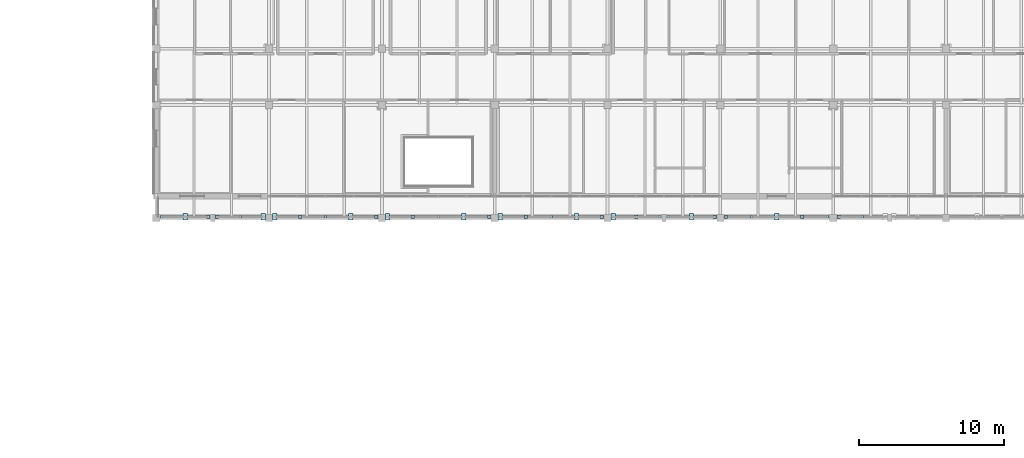
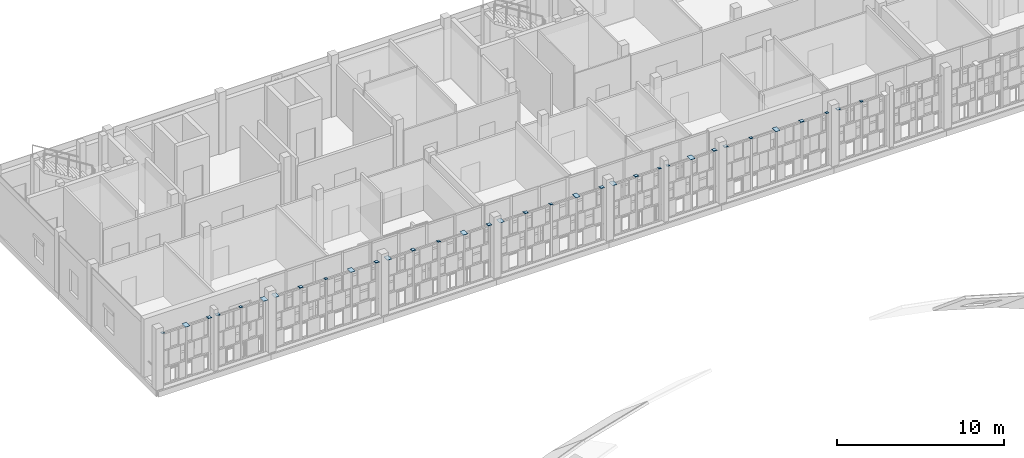
# One storey, part 62 of 89: 34 plates.
"""IFC4 building model written with IfcOpenShell, lengths in metres."""

from ifc_helpers import new_model, si_unit, direction, frame, origin, origin_2d, place, context, subcontext, project, spatial, rectangle, extrude, material, layer, layer_set, type_object, element, save


model = new_model("IFC4")

# Units and contexts
model_context = context("Model", 3, precision=1e-05, world=origin(), true_north=direction((0.0, 1.0)))
body_context = subcontext(model_context, "Body", "Model", "MODEL_VIEW")
ifc_project = project(units=[si_unit("LENGTHUNIT", "METRE"), si_unit("AREAUNIT", "SQUARE_METRE"), si_unit("VOLUMEUNIT", "CUBIC_METRE"), si_unit("PLANEANGLEUNIT", "RADIAN"), si_unit("MASSUNIT", "GRAM", prefix="KILO")], contexts=[model_context])

# Site, building, storey
site_placement = place(None, origin())
site = spatial("IfcSite", under=ifc_project, at=site_placement, CompositionType="ELEMENT")
building_placement = place(site_placement, origin())
building = spatial("IfcBuilding", under=site, at=building_placement, Name="Celorna Specialist Clinic", CompositionType="ELEMENT")
storey_placement = place(building_placement, frame((0.0, 0.0, 14.10009765625)))
storey = spatial("IfcBuildingStorey", under=building, at=storey_placement, Name="L03", CompositionType="ELEMENT", Elevation=14.10009765625)

# Plates
ifc_material = material(Name="Steel S355", Category="steel")
ifc_layer_1 = layer(ifc_material, 0.011962890625, Name="Steel S355")
ifc_layer_set_1 = layer_set([ifc_layer_1], Name="Steel S355")
plate_type_1 = type_object("IfcPlateType", Name="EP-06", PredefinedType="SHEET", material=ifc_layer_set_1)
for number, where, z_axis, x_axis, name in (
    (1, (47.18994140625, 96.580078125, 3.83984375), (0.0, 0.0, 1.0), (1.0, 0.0, 0.0), "Screen post cap plate EP-06 #1230"),
    (2, (52.60009765625, 96.580078125, 3.83984375), (0.0, 0.0, 1.0), (1.0, 0.0, 0.0), "Screen post cap plate EP-06 #1242"),
    (3, (58.5, 96.580078125, 3.83984375), (0.0, 0.0, 1.0), (1.0, 0.0, 0.0), "Screen post cap plate EP-06 #1254"),
    (4, (66.300048828125, 96.580078125, 3.83984375), (0.0, 0.0, 1.0), (1.0, 0.0, 0.0), "Screen post cap plate EP-06 #1275"),
    (5, (74.10009765625, 96.580078125, 3.83984375), (0.0, 0.0, 1.0), (1.0, 0.0, 0.0), "Screen post cap plate EP-06 #1296"),
    (6, (81.610107421875, 96.580078125, 3.83984375), (0.0, 0.0, 1.0), (1.0, 0.0, 0.0), "Screen post cap plate EP-06 #1317"),
    (7, (82.18994140625, 96.580078125, 3.83984375), (0.0, 0.0, 1.0), (1.0, 0.0, 0.0), "Screen post cap plate EP-06 #1326"),
    (8, (87.945068359375, 96.580078125, 3.83984375), (0.0, 0.0, 1.0), (1.0, 0.0, 0.0), "Screen post cap plate EP-06 #1338"),
    (9, (93.2099609375, 96.580078125, 3.83984375), (0.0, 0.0, 1.0), (1.0, 0.0, 0.0), "Screen post cap plate EP-06 #1341"),
    (10, (95.60009765625, 96.580078125, 3.83984375), (0.0, 0.0, 1.0), (1.0, 0.0, 0.0), "Screen post cap plate EP-06 #1359"),
):
    element("IfcPlate", number, at=place(storey_placement, frame(where, z_axis=z_axis, x_axis=x_axis)), inside=storey, type_object=plate_type_1, Name=name, PredefinedType="SHEET", context=body_context, shape_type="SweptSolid", body=[
        extrude(rectangle(XDim=0.179931640625, YDim=0.179931640625, at=origin_2d()), origin(), (0.0, 0.0, 1.0), 0.011962890625),
    ])
ifc_layer_2 = layer(ifc_material, 0.01611328125, Name="Steel S355")
ifc_layer_set_2 = layer_set([ifc_layer_2], Name="Steel S355")
plate_type_2 = type_object("IfcPlateType", Name="EP-07", PredefinedType="SHEET", material=ifc_layer_set_2)
for number, where, z_axis, x_axis, name in (
    (11, (48.800048828125, 96.580078125, 3.83984375), (0.0, 0.0, 1.0), (1.0, 0.0, 0.0), "Screen post cap plate EP-07 #1231"),
    (12, (54.2099609375, 96.580078125, 3.83984375), (0.0, 0.0, 1.0), (1.0, 0.0, 0.0), "Screen post cap plate EP-07 #1243"),
    (13, (54.989990234375, 96.580078125, 3.83984375), (0.0, 0.0, 1.0), (1.0, 0.0, 0.0), "Screen post cap plate EP-07 #1252"),
    (14, (60.2548828125, 96.580078125, 3.83984375), (0.0, 0.0, 1.0), (1.0, 0.0, 0.0), "Screen post cap plate EP-07 #1255"),
    (15, (62.7900390625, 96.580078125, 3.83984375), (0.0, 0.0, 1.0), (1.0, 0.0, 0.0), "Screen post cap plate EP-07 #1273"),
    (16, (68.054931640625, 96.580078125, 3.83984375), (0.0, 0.0, 1.0), (1.0, 0.0, 0.0), "Screen post cap plate EP-07 #1276"),
    (17, (70.590087890625, 96.580078125, 3.83984375), (0.0, 0.0, 1.0), (1.0, 0.0, 0.0), "Screen post cap plate EP-07 #1294"),
    (18, (75.85498046875, 96.580078125, 3.83984375), (0.0, 0.0, 1.0), (1.0, 0.0, 0.0), "Screen post cap plate EP-07 #1297"),
    (19, (78.389892578125, 96.580078125, 3.83984375), (0.0, 0.0, 1.0), (1.0, 0.0, 0.0), "Screen post cap plate EP-07 #1315"),
    (20, (83.800048828125, 96.580078125, 3.83984375), (0.0, 0.0, 1.0), (1.0, 0.0, 0.0), "Screen post cap plate EP-07 #1327"),
    (21, (89.699951171875, 96.580078125, 3.83984375), (0.0, 0.0, 1.0), (1.0, 0.0, 0.0), "Screen post cap plate EP-07 #1339"),
):
    element("IfcPlate", number, at=place(storey_placement, frame(where, z_axis=z_axis, x_axis=x_axis)), inside=storey, type_object=plate_type_2, Name=name, PredefinedType="SHEET", context=body_context, shape_type="SweptSolid", body=[
        extrude(rectangle(XDim=0.300048828125, YDim=0.43994140625, at=origin_2d()), origin(), (0.0, 0.0, 1.0), 0.01611328125),
    ])
ifc_layer_3 = layer(ifc_material, 0.013916015625, Name="Steel S355")
ifc_layer_set_3 = layer_set([ifc_layer_3], Name="Steel S355")
plate_type_3 = type_object("IfcPlateType", Name="EP-08", PredefinedType="SHEET", material=ifc_layer_set_3)
for number, where, z_axis, x_axis, name in (
    (22, (50.409912109375, 96.580078125, 3.83984375), (0.0, 0.0, 1.0), (1.0, 0.0, 0.0), "Screen post cap plate EP-08 #1232"),
    (23, (50.989990234375, 96.580078125, 3.83984375), (0.0, 0.0, 1.0), (1.0, 0.0, 0.0), "Screen post cap plate EP-08 #1241"),
    (24, (56.7451171875, 96.580078125, 3.83984375), (0.0, 0.0, 1.0), (1.0, 0.0, 0.0), "Screen post cap plate EP-08 #1253"),
    (25, (62.010009765625, 96.580078125, 3.83984375), (0.0, 0.0, 1.0), (1.0, 0.0, 0.0), "Screen post cap plate EP-08 #1256"),
    (26, (64.544921875, 96.580078125, 3.83984375), (0.0, 0.0, 1.0), (1.0, 0.0, 0.0), "Screen post cap plate EP-08 #1274"),
    (27, (69.81005859375, 96.580078125, 3.83984375), (0.0, 0.0, 1.0), (1.0, 0.0, 0.0), "Screen post cap plate EP-08 #1277"),
    (28, (72.344970703125, 96.580078125, 3.83984375), (0.0, 0.0, 1.0), (1.0, 0.0, 0.0), "Screen post cap plate EP-08 #1295"),
    (29, (77.610107421875, 96.580078125, 3.83984375), (0.0, 0.0, 1.0), (1.0, 0.0, 0.0), "Screen post cap plate EP-08 #1298"),
    (30, (80.0, 96.580078125, 3.83984375), (0.0, 0.0, 1.0), (1.0, 0.0, 0.0), "Screen post cap plate EP-08 #1316"),
    (31, (85.409912109375, 96.580078125, 3.83984375), (0.0, 0.0, 1.0), (1.0, 0.0, 0.0), "Screen post cap plate EP-08 #1328"),
    (32, (86.18994140625, 96.580078125, 3.83984375), (0.0, 0.0, 1.0), (1.0, 0.0, 0.0), "Screen post cap plate EP-08 #1337"),
    (33, (91.455078125, 96.580078125, 3.83984375), (0.0, 0.0, 1.0), (1.0, 0.0, 0.0), "Screen post cap plate EP-08 #1340"),
    (34, (93.989990234375, 96.580078125, 3.83984375), (0.0, 0.0, 1.0), (1.0, 0.0, 0.0), "Screen post cap plate EP-08 #1358"),
):
    element("IfcPlate", number, at=place(storey_placement, frame(where, z_axis=z_axis, x_axis=x_axis)), inside=storey, type_object=plate_type_3, Name=name, PredefinedType="SHEET", context=body_context, shape_type="SweptSolid", body=[
        extrude(rectangle(XDim=0.239990234375, YDim=0.239990234375, at=origin_2d()), origin(), (0.0, 0.0, 1.0), 0.013916015625),
    ])

save(model, "model.ifc")
